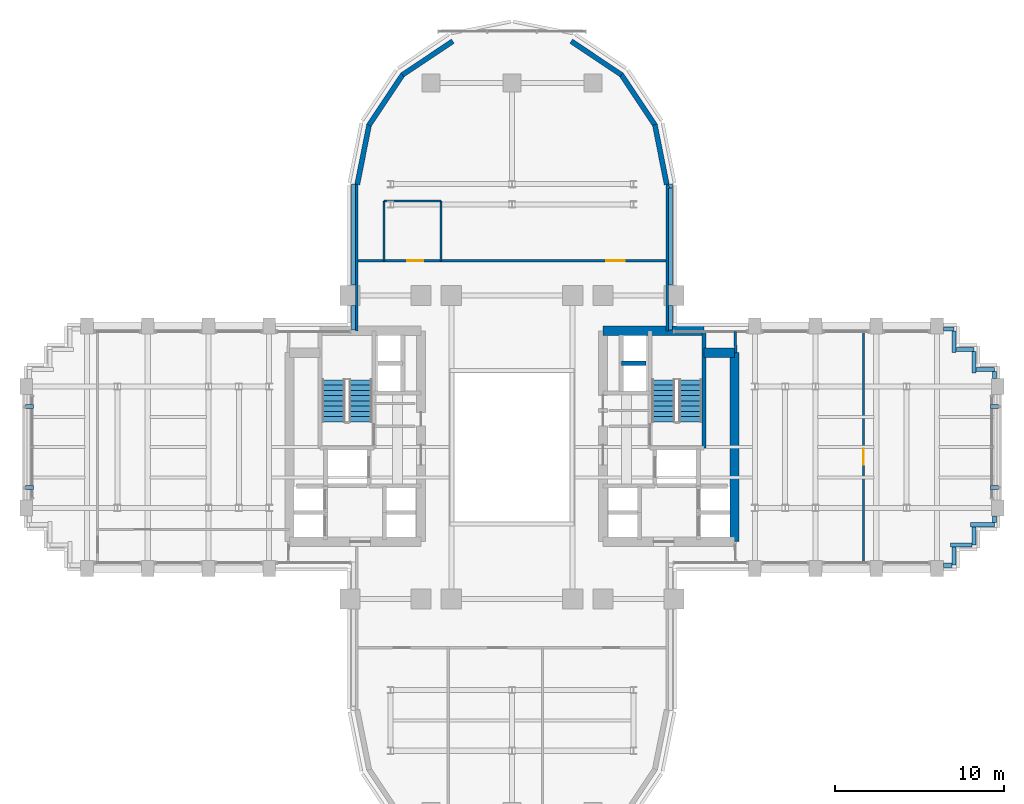
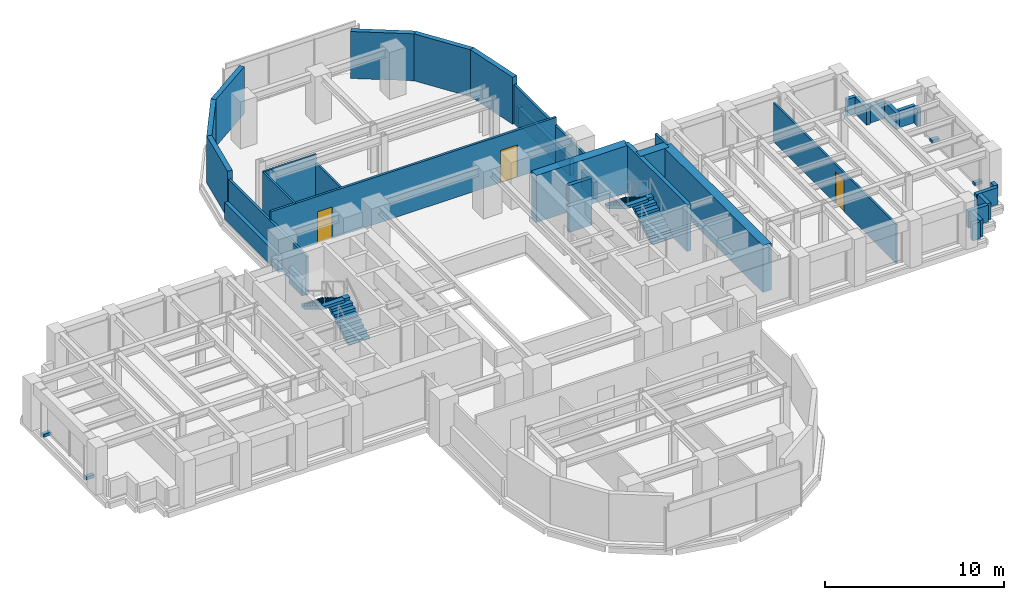
# One storey, part 12 of 16: 36 walls, 4 discrete accessories, 4 stair flights, 3 doors, 3 openings, 2 elements without a shape of their own.
"""IFC4 building model written with IfcOpenShell, lengths in metres."""

import ifcopenshell
import ifcopenshell.guid

model = None  # the IFC model being written
_history = None  # IfcOwnerHistory: only IFC2X3 demands one
_inside = {}  # id of a spatial element -> (the spatial element, [elements in it])
_under = {}  # id of a project, library or spatial element -> (it, [spatial elements below it])
_declared = {}  # id of a project -> (the project, [libraries it declares])
_typed = {}  # id of a type object -> (the type object, [elements of that type])
_made_of = {}  # id of a material, layer set ... -> (it, [elements and type objects made of it])


def new_model(schema):
    """Start an empty IFC model of exactly this schema.

    Asked for "IFC4X3", IfcOpenShell would pick the latest addendum, in which some entities
    have other attributes; the version numbers below select the first issue.
    IFC2X3 requires an IfcOwnerHistory on every rooted entity: one is made here for all.
    """
    global model, _history
    if schema == "IFC4X3":
        model = ifcopenshell.file(schema_version=(4, 3, 0, 0))
    else:
        model = ifcopenshell.file(schema=schema)
    _inside.clear()
    _under.clear()
    _declared.clear()
    _typed.clear()
    _made_of.clear()
    _history = None
    if model.schema == "IFC2X3":
        org = make("IfcOrganization", Name="unknown")
        user = make(
            "IfcPersonAndOrganization",
            ThePerson=make("IfcPerson", FamilyName="unknown"),
            TheOrganization=org,
        )
        app = make(
            "IfcApplication",
            ApplicationDeveloper=org,
            Version="unknown",
            ApplicationFullName="unknown",
            ApplicationIdentifier="unknown",
        )
        _history = make(
            "IfcOwnerHistory",
            OwningUser=user,
            OwningApplication=app,
            ChangeAction="ADDED",
            CreationDate=0,
        )
    return model


def make(cls, **values):
    """One entity of the class cls with the attributes given. An attribute that is None is left unset."""
    return model.create_entity(
        cls, **{name: value for name, value in values.items() if value is not None}
    )


def rooted(cls, **values):
    """An entity with a GlobalId (a new one), such as an element, a storey or a relation."""
    return make(cls, GlobalId=ifcopenshell.guid.new(), OwnerHistory=_history, **values)


def si_unit(unit_type, name, prefix=None):
    """IfcSIUnit, for example si_unit("LENGTHUNIT", "METRE", prefix="MILLI")."""
    return make("IfcSIUnit", UnitType=unit_type, Prefix=prefix, Name=name)


def assignment(units):
    """IfcUnitAssignment: the units of a project."""
    return None if units is None else make("IfcUnitAssignment", Units=units)


def point(xyz):
    """IfcCartesianPoint."""
    return None if xyz is None else make("IfcCartesianPoint", Coordinates=xyz)


def direction(xyz):
    """IfcDirection."""
    return None if xyz is None else make("IfcDirection", DirectionRatios=xyz)


def frame(location, z_axis=None, x_axis=None):
    """IfcAxis2Placement3D, a coordinate frame: its origin and axes. An axis left out is left unset."""
    return make(
        "IfcAxis2Placement3D",
        Location=point(location),
        Axis=direction(z_axis),
        RefDirection=direction(x_axis),
    )


def frame_2d(location, x_axis=None):
    """IfcAxis2Placement2D, a coordinate frame in the plane: its origin and x axis."""
    return make(
        "IfcAxis2Placement2D", Location=point(location), RefDirection=direction(x_axis)
    )


def origin():
    """The frame at (0, 0, 0) with its axes left unset."""
    return frame((0.0, 0.0, 0.0))


def origin_2d():
    """The frame at (0, 0) in the plane with its x axis left unset."""
    return frame_2d((0.0, 0.0))


def place(relative_to, where):
    """IfcLocalPlacement: puts the frame where relative to a parent placement (None: the world)."""
    return make(
        "IfcLocalPlacement", PlacementRelTo=relative_to, RelativePlacement=where
    )


def context(
    kind, dimensions, precision=None, world=None, true_north=None, identifier=None
):
    """IfcGeometricRepresentationContext, for example the 3D "Model" context."""
    return make(
        "IfcGeometricRepresentationContext",
        ContextIdentifier=identifier,
        ContextType=kind,
        CoordinateSpaceDimension=dimensions,
        Precision=precision,
        WorldCoordinateSystem=world,
        TrueNorth=true_north,
    )


def subcontext(parent, identifier, kind, view, scale=None):
    """IfcGeometricRepresentationSubContext, for example "Body" below "Model"."""
    return make(
        "IfcGeometricRepresentationSubContext",
        ContextIdentifier=identifier,
        ContextType=kind,
        ParentContext=parent,
        TargetScale=scale,
        TargetView=view,
    )


def project(units=None, contexts=None):
    """IfcProject with its units and contexts."""
    return rooted(
        "IfcProject",
        Name="project",
        RepresentationContexts=contexts,
        UnitsInContext=assignment(units),
    )


def spatial(cls, under=None, at=None, **own):
    """A site, building, storey or space (cls), placed at a placement, below another one or the project."""
    s = rooted(cls, ObjectPlacement=at, **own)
    if under is not None:
        _under.setdefault(under.id(), (under, []))[1].append(s)
    return s


def polyline(points):
    """IfcPolyline through the points."""
    return make("IfcPolyline", Points=[point(p) for p in points])


def profile(cls, at=None, kind="AREA", **sizes):
    """A parametric profile (cls). Its sizes go by their IFC names, for example OverallWidth=200.0."""
    return make(cls, ProfileType=kind, Position=at, **sizes)


def rectangle(**sizes):
    """IfcRectangleProfileDef."""
    return profile("IfcRectangleProfileDef", **sizes)


def outline(outer, holes=None, kind="AREA"):
    """IfcArbitraryClosedProfileDef: a profile drawn as a closed curve; with holes, ...WithVoids."""
    if holes is None:
        return make("IfcArbitraryClosedProfileDef", ProfileType=kind, OuterCurve=outer)
    return make(
        "IfcArbitraryProfileDefWithVoids",
        ProfileType=kind,
        OuterCurve=outer,
        InnerCurves=holes,
    )


def extrude(swept, where, along, depth):
    """IfcExtrudedAreaSolid: the profile swept, set in the frame where, extruded along a direction by depth."""
    return make(
        "IfcExtrudedAreaSolid",
        SweptArea=swept,
        Position=where,
        ExtrudedDirection=direction(along),
        Depth=depth,
    )


def shape(context_of_items, identifier, shape_type, items):
    """IfcShapeRepresentation: the items that make up one representation, for example the "Body"."""
    return make(
        "IfcShapeRepresentation",
        ContextOfItems=context_of_items,
        RepresentationIdentifier=identifier,
        RepresentationType=shape_type,
        Items=items,
    )


def source(mapping_origin, context_of_items, identifier, shape_type, items):
    """IfcRepresentationMap: a shape defined once, which mapped items show again and again."""
    return make(
        "IfcRepresentationMap",
        MappingOrigin=mapping_origin,
        MappedRepresentation=shape(context_of_items, identifier, shape_type, items),
    )


def transform(
    local_origin,
    x_axis=None,
    y_axis=None,
    z_axis=None,
    scale=None,
    scale2=None,
    scale3=None,
    uniform=True,
):
    """IfcCartesianTransformationOperator3D, or its non-uniform kind. x_axis, y_axis, z_axis: its Axis1, 2, 3."""
    if uniform:
        return make(
            "IfcCartesianTransformationOperator3D",
            Axis1=direction(x_axis),
            Axis2=direction(y_axis),
            LocalOrigin=point(local_origin),
            Scale=scale,
            Axis3=direction(z_axis),
        )
    return make(
        "IfcCartesianTransformationOperator3DnonUniform",
        Axis1=direction(x_axis),
        Axis2=direction(y_axis),
        LocalOrigin=point(local_origin),
        Scale=scale,
        Axis3=direction(z_axis),
        Scale2=scale2,
        Scale3=scale3,
    )


def mapped(mapping_source, mapping_target):
    """IfcMappedItem: shows the shape of a source again, moved by a transform."""
    return make(
        "IfcMappedItem", MappingSource=mapping_source, MappingTarget=mapping_target
    )


def material(Name=None, Category=None):
    """IfcMaterial."""
    return make("IfcMaterial", Name=Name, Category=Category)


def layer(
    of_material, thickness, ventilated=None, Name=None, Category=None, Priority=None
):
    """IfcMaterialLayer: one layer of a wall or slab, of a material (None: an air gap)."""
    return make(
        "IfcMaterialLayer",
        Material=of_material,
        LayerThickness=thickness,
        IsVentilated=ventilated,
        Name=Name,
        Category=Category,
        Priority=Priority,
    )


def layer_set(layers, Name=None):
    """IfcMaterialLayerSet."""
    return make("IfcMaterialLayerSet", MaterialLayers=layers, LayerSetName=Name)


def made_of(thing, what):
    """Note that an element or type object is made of a material, layer set ...; save() writes the relation."""
    if what is not None:
        _made_of.setdefault(what.id(), (what, []))[1].append(thing)
    return thing


def type_object(cls, material=None, **own):
    """A type object (cls), such as IfcWallType, which elements share."""
    return made_of(rooted(cls, **own), material)


def element(
    cls,
    number,
    at=None,
    inside=None,
    cuts=None,
    type_object=None,
    material=None,
    context=None,
    identifier="Body",
    shape_type=None,
    held_by="IfcProductDefinitionShape",
    body=None,
    shapes=None,
    **own,
):
    """One element of the class cls, such as IfcWall. Its Tag is "e" and its number.

    at: its placement. inside: the storey or other place that contains it. cuts: it is an
    opening in that element (IfcRelVoidsElement). A single representation is given by context,
    identifier, shape_type and body (its items); several are given by shapes. held_by: the class
    of the entity that holds the representations. save() writes the other relations.
    """
    e = rooted(cls, Tag="e%d" % number, ObjectPlacement=at, **own)
    if body is not None:
        shapes = [shape(context, identifier, shape_type, body)]
    if shapes is not None:
        e.Representation = make(held_by, Representations=shapes)
    if inside is not None:
        _inside.setdefault(inside.id(), (inside, []))[1].append(e)
    if cuts is not None:
        rooted(
            "IfcRelVoidsElement", RelatingBuildingElement=cuts, RelatedOpeningElement=e
        )
    if type_object is not None:
        _typed.setdefault(type_object.id(), (type_object, []))[1].append(e)
    return made_of(e, material)


def fill(opening, filler):
    """IfcRelFillsElement: the door or window that sits in an opening."""
    return rooted(
        "IfcRelFillsElement",
        RelatingOpeningElement=opening,
        RelatedBuildingElement=filler,
    )


def aggregate(whole, parts):
    """IfcRelAggregates: a whole, such as a stair, and the parts it consists of."""
    return rooted("IfcRelAggregates", RelatingObject=whole, RelatedObjects=parts)


def save(model, path):
    """Write the relations noted so far, then the file.

    IfcRelAggregates (storeys below a building ...), IfcRelContainedInSpatialStructure (elements
    in a storey), IfcRelDefinesByType, IfcRelAssociatesMaterial and IfcRelDeclares: one each for
    every whole, place, type object, material and project.
    """
    for whole, parts in _under.values():
        aggregate(whole, parts)
    for where, things in _inside.values():
        rooted(
            "IfcRelContainedInSpatialStructure",
            RelatedElements=things,
            RelatingStructure=where,
        )
    for kind, things in _typed.values():
        rooted("IfcRelDefinesByType", RelatedObjects=things, RelatingType=kind)
    for what, things in _made_of.values():
        rooted("IfcRelAssociatesMaterial", RelatedObjects=things, RelatingMaterial=what)
    for by, libraries in _declared.values():
        rooted("IfcRelDeclares", RelatingContext=by, RelatedDefinitions=libraries)
    model.write(path)


model = new_model("IFC4")

# Units and contexts
model_context = context("Model", 3, precision=1e-05, world=origin(), true_north=direction((0.0, 1.0)))
body_context = subcontext(model_context, "Body", "Model", "MODEL_VIEW")
ifc_project = project(units=[si_unit("LENGTHUNIT", "METRE"), si_unit("AREAUNIT", "SQUARE_METRE"), si_unit("VOLUMEUNIT", "CUBIC_METRE"), si_unit("PLANEANGLEUNIT", "RADIAN"), si_unit("MASSUNIT", "GRAM", prefix="KILO")], contexts=[model_context])

# Site, building, storey
site_placement = place(None, origin())
site = spatial("IfcSite", under=ifc_project, at=site_placement, CompositionType="ELEMENT")
building_placement = place(site_placement, origin())
building = spatial("IfcBuilding", under=site, at=building_placement, Name="Keilestroom Media Tower", CompositionType="ELEMENT")
storey_placement = place(building_placement, frame((0.0, 0.0, 57.800048828125)))
storey = spatial("IfcBuildingStorey", under=building, at=storey_placement, Name="L14", CompositionType="ELEMENT", Elevation=57.800048828125)

# Walls
ifc_material_1 = material(Name="Precast concrete C40/50", Category="concrete")
ifc_layer_1 = layer(ifc_material_1, 0.300048828125)
ifc_layer_set_1 = layer_set([ifc_layer_1], Name="Precast concrete C40/50")
wall_type_1 = type_object("IfcWallType", Name="Exterior-Masonry-Spandrel-Wall-300", PredefinedType="SOLIDWALL", material=ifc_layer_set_1)
for number, where, z_axis, x_axis, name in (
    (1, (9.1748046875, 15.585205078125, 0.0), (0.0, 0.0, 1.0), (-0.195114232679, 0.980780523974, 0.0), "L14 Lobe Facet Precast Frame Wall 01"),
    (2, (8.48193359375, 19.097412109375, 0.0), (0.0, 0.0, 1.0), (-0.555574187116, 0.831466970246, 0.0), "L14 Lobe Facet Precast Frame Wall 02"),
):
    element("IfcWall", number, at=place(storey_placement, frame(where, z_axis=z_axis, x_axis=x_axis)), inside=storey, type_object=wall_type_1, Name=name, PredefinedType="SOLIDWALL", context=body_context, shape_type="SweptSolid", body=[
        extrude(rectangle(XDim=3.608642578125, YDim=0.300048828125, at=frame_2d((1.80419921875, 0.0))), origin(), (0.0, 0.0, 1.0), 3.199951171875),
    ])
for number, where, z_axis, x_axis, name in (
    (3, (6.497802734375, 22.0771484375, 0.0), (0.0, 0.0, 1.0), (-0.8314749531, 0.555562239868, 0.0), "L14 Lobe Facet Precast Frame Wall 03"),
    (4, (-3.510009765625, 24.073486328125, 0.0), (0.0, 0.0, 1.0), (-0.8314749531, -0.555562239868, 0.0), "L14 Lobe Facet Precast Frame Wall 04"),
):
    element("IfcWall", number, at=place(storey_placement, frame(where, z_axis=z_axis, x_axis=x_axis)), inside=storey, type_object=wall_type_1, Name=name, PredefinedType="SOLIDWALL", context=body_context, shape_type="SweptSolid", body=[
        extrude(rectangle(XDim=3.59326171875, YDim=0.300048828125, at=frame_2d((1.796630859375, 0.0))), origin(), (0.0, 0.0, 1.0), 3.199951171875),
    ])
for number, where, z_axis, x_axis, name in (
    (5, (-6.47705078125, 22.097900390625, 0.0), (0.0, 0.0, 1.0), (-0.555574187116, -0.831466970246, 0.0), "L14 Lobe Facet Precast Frame Wall 05"),
    (6, (-8.470703125, 19.12451171875, 0.0), (0.0, 0.0, 1.0), (-0.195114232679, -0.980780523974, 0.0), "L14 Lobe Facet Precast Frame Wall 06"),
):
    element("IfcWall", number, at=place(storey_placement, frame(where, z_axis=z_axis, x_axis=x_axis)), inside=storey, type_object=wall_type_1, Name=name, PredefinedType="SOLIDWALL", context=body_context, shape_type="SweptSolid", body=[
        extrude(rectangle(XDim=3.608642578125, YDim=0.300048828125, at=frame_2d((1.80419921875, 0.0))), origin(), (0.0, 0.0, 1.0), 3.199951171875),
    ])
ifc_material_2 = material(Name="Gypsum Plasterboard & Steel Stud", Category="steel")
ifc_layer_2 = layer(ifc_material_2, 0.1201171875)
ifc_layer_set_2 = layer_set([ifc_layer_2], Name="Gypsum Plasterboard & Steel Stud")
wall_type_2 = type_object("IfcWallType", Name="Interior-Partition-Wall-120", PredefinedType="PARTITIONING", material=ifc_layer_set_2)
wall_1_placement = place(storey_placement, frame((-7.60009765625, 14.60009765625, 0.0), z_axis=(0.0, 0.0, 1.0), x_axis=(1.0, 0.0, 0.0)))
element("IfcWall", 7, at=wall_1_placement, inside=storey, type_object=wall_type_2, Name="L14 Interior Wall WP-L14-NL-WC-N", PredefinedType="PARTITIONING", context=body_context, shape_type="SweptSolid", body=[
    extrude(rectangle(XDim=3.400146484375, YDim=0.1201171875, at=frame_2d((1.7001953125, 0.0))), origin(), (0.0, 0.0, 1.0), 3.199951171875),
])
wall_2_placement = place(storey_placement, frame((-7.60009765625, 11.050048828125, 0.0), z_axis=(0.0, 0.0, 1.0), x_axis=(0.0, 1.0, 0.0)))
element("IfcWall", 8, at=wall_2_placement, inside=storey, type_object=wall_type_2, Name="L14 Interior Wall WP-L14-NL-WC-W", PredefinedType="PARTITIONING", context=body_context, shape_type="SweptSolid", body=[
    extrude(rectangle(XDim=3.550048828125, YDim=0.1201171875, at=frame_2d((1.77490234375, 0.0))), origin(), (0.0, 0.0, 1.0), 3.199951171875),
])
wall_3_placement = place(storey_placement, frame((-4.199951171875, 11.050048828125, 0.0), z_axis=(0.0, 0.0, 1.0), x_axis=(0.0, 1.0, 0.0)))
element("IfcWall", 9, at=wall_3_placement, inside=storey, type_object=wall_type_2, Name="L14 Interior Wall WP-L14-NL-WC-E", PredefinedType="PARTITIONING", context=body_context, shape_type="SweptSolid", body=[
    extrude(rectangle(XDim=3.550048828125, YDim=0.1201171875, at=frame_2d((1.77490234375, 0.0))), origin(), (0.0, 0.0, 1.0), 2.64990234375),
])

# Wall, opening, door
wall_4_placement = place(storey_placement, frame((20.840087890625, -6.85009765625, 0.0), z_axis=(0.0, 0.0, 1.0), x_axis=(0.0, 1.0, 0.0)))
wall_4 = element("IfcWall", 10, at=wall_4_placement, inside=storey, type_object=wall_type_2, Name="L14 Interior Wall WP-L14-EA-V", PredefinedType="PARTITIONING", context=body_context, shape_type="SweptSolid", body=[
    extrude(rectangle(XDim=13.7001953125, YDim=0.1201171875, at=frame_2d((6.85009765625, 0.0))), origin(), (0.0, 0.0, 1.0), 2.64990234375),
])
opening_1_placement = place(wall_4_placement, frame((5.800048828125, 0.0, 0.0)))
opening_1 = element("IfcOpeningElement", 11, at=opening_1_placement, cuts=wall_4, Name="Opening DI-03", PredefinedType="OPENING", context=body_context, shape_type="SweptSolid", body=[
    extrude(rectangle(XDim=0.949951171875, YDim=2.14990234375, at=frame_2d((0.47509765625, 1.074951171875))), frame((0.0, 0.070068359375, 0.0), z_axis=(0.0, -1.0, 0.0), x_axis=(1.0, 0.0, 0.0)), (0.0, 0.0, 1.0), 0.14013671875),
])
ifc_material_3 = material(Name="Lacquered European Oak Leaf", Category="wood")
door_type_1 = type_object("IfcDoorType", Name="Interior-Room-And-Suite-Door-DI-03", OperationType="NOTDEFINED", PredefinedType="DOOR", material=ifc_material_3)
shared_shape_1 = source(origin(), body_context, "Body", "SweptSolid", [
    extrude(rectangle(XDim=0.949951171875, YDim=2.14990234375, at=frame_2d((0.47509765625, 1.074951171875))), frame((0.0, 0.02490234375, 0.0), z_axis=(0.0, -1.0, 0.0), x_axis=(1.0, 0.0, 0.0)), (0.0, 0.0, 1.0), 0.050048828125),
])
door_1_placement = place(opening_1_placement, origin())
door_1 = element("IfcDoor", 12, at=door_1_placement, inside=storey, type_object=door_type_1, Name="L14 Interior Door DI-L14-DEA-E", OperationType="SINGLE_SWING_RIGHT", OverallHeight=2.14990234375, OverallWidth=0.949951171875, PredefinedType="DOOR", context=body_context, shape_type="MappedRepresentation", body=[
    mapped(shared_shape_1, transform((0.0, 0.0, 0.0), x_axis=(1.0, 0.0, 0.0), y_axis=(0.0, 1.0, 0.0), z_axis=(0.0, 0.0, 1.0), scale=1.0)),
])
fill(opening_1, door_1)

# Wall, openings, doors
ifc_layer_3 = layer(ifc_material_2, 0.14990234375)
ifc_layer_set_3 = layer_set([ifc_layer_3], Name="Gypsum Plasterboard & Steel Stud")
wall_type_3 = type_object("IfcWallType", Name="Interior-Partition-Wall-150", PredefinedType="PARTITIONING", material=ifc_layer_set_3)
wall_5_placement = place(storey_placement, frame((-9.199951171875, 11.050048828125, 0.0), z_axis=(0.0, 0.0, 1.0), x_axis=(1.0, 0.0, 0.0)))
wall_5 = element("IfcWall", 13, at=wall_5_placement, inside=storey, type_object=wall_type_3, Name="L14 Interior Wall WP-L14-NL-BASE", PredefinedType="PARTITIONING", context=body_context, shape_type="SweptSolid", body=[
    extrude(rectangle(XDim=18.39990234375, YDim=0.14990234375, at=frame_2d((9.199951171875, 0.0))), origin(), (0.0, 0.0, 1.0), 3.199951171875),
])
opening_2_placement = place(wall_5_placement, frame((3.0, 0.0, 0.0)))
opening_2 = element("IfcOpeningElement", 14, at=opening_2_placement, cuts=wall_5, Name="Opening DI-03", PredefinedType="OPENING", context=body_context, shape_type="SweptSolid", body=[
    extrude(rectangle(XDim=0.949951171875, YDim=2.14990234375, at=frame_2d((0.47509765625, 1.074951171875))), frame((0.0, 0.0849609375, 0.0), z_axis=(0.0, -1.0, 0.0), x_axis=(1.0, 0.0, 0.0)), (0.0, 0.0, 1.0), 0.169921875),
])
opening_3_placement = place(wall_5_placement, frame((14.800048828125, 0.0, 0.0)))
opening_3 = element("IfcOpeningElement", 15, at=opening_3_placement, cuts=wall_5, Name="Opening DI-04", PredefinedType="OPENING", context=body_context, shape_type="SweptSolid", body=[
    extrude(rectangle(XDim=1.10009765625, YDim=2.199951171875, at=frame_2d((0.550048828125, 1.10009765625))), frame((0.0, 0.0849609375, 0.0), z_axis=(0.0, -1.0, 0.0), x_axis=(1.0, 0.0, 0.0)), (0.0, 0.0, 1.0), 0.169921875),
])
door_2_placement = place(opening_2_placement, origin())
door_2 = element("IfcDoor", 16, at=door_2_placement, inside=storey, type_object=door_type_1, Name="L14 Interior Door DI-L14-DNL-WC", OperationType="SINGLE_SWING_LEFT", OverallHeight=2.14990234375, OverallWidth=0.949951171875, PredefinedType="DOOR", context=body_context, shape_type="MappedRepresentation", body=[
    mapped(shared_shape_1, transform((0.0, 0.0, 0.0), x_axis=(1.0, 0.0, 0.0), y_axis=(0.0, 1.0, 0.0), z_axis=(0.0, 0.0, 1.0), scale=1.0)),
])
fill(opening_2, door_2)
ifc_material_4 = material(Name="Acoustic Glazed Aluminium Leaf", Category="aluminium")
door_type_2 = type_object("IfcDoorType", Name="Interior-Room-And-Suite-Door-DI-04", OperationType="NOTDEFINED", PredefinedType="DOOR", material=ifc_material_4)
shared_shape_2 = source(origin(), body_context, "Body", "SweptSolid", [
    extrude(rectangle(XDim=1.10009765625, YDim=2.199951171875, at=frame_2d((0.550048828125, 1.10009765625))), frame((0.0, 0.02490234375, 0.0), z_axis=(0.0, -1.0, 0.0), x_axis=(1.0, 0.0, 0.0)), (0.0, 0.0, 1.0), 0.050048828125),
])
door_3_placement = place(opening_3_placement, origin())
door_3 = element("IfcDoor", 17, at=door_3_placement, inside=storey, type_object=door_type_2, Name="L14 Interior Door DI-L14-DNL-HALL", OperationType="SINGLE_SWING_RIGHT", OverallHeight=2.199951171875, OverallWidth=1.10009765625, PredefinedType="DOOR", context=body_context, shape_type="MappedRepresentation", body=[
    mapped(shared_shape_2, transform((0.0, 0.0, 0.0), x_axis=(1.0, 0.0, 0.0), y_axis=(0.0, 1.0, 0.0), z_axis=(0.0, 0.0, 1.0), scale=1.0)),
])
fill(opening_3, door_3)

# Walls
for number, where, z_axis, x_axis, name in (
    (18, (-9.199951171875, 6.89990234375, 0.0), (0.0, 0.0, 1.0), (0.0, 1.0, 0.0), "L14 Interior Wall WP-L14-NL-CHKW"),
    (19, (9.199951171875, 6.89990234375, 0.0), (0.0, 0.0, 1.0), (0.0, 1.0, 0.0), "L14 Interior Wall WP-L14-NL-CHKE"),
):
    element("IfcWall", number, at=place(storey_placement, frame(where, z_axis=z_axis, x_axis=x_axis)), inside=storey, type_object=wall_type_3, Name=name, PredefinedType="PARTITIONING", context=body_context, shape_type="SweptSolid", body=[
        extrude(rectangle(XDim=8.780029296875, YDim=0.14990234375, at=frame_2d((4.39013671875, 0.0))), origin(), (0.0, 0.0, 1.0), 2.64990234375),
    ])
wall_6_placement = place(storey_placement, frame((13.260009765625, 5.60009765625, 0.0), z_axis=(0.0, 0.0, 1.0), x_axis=(-0.016013571389, 0.999871774545, 0.0)))
element("IfcWall", 20, at=wall_6_placement, inside=storey, type_object=wall_type_3, Name="L14 Interior Wall WP-L14-EA-ENTN", PredefinedType="PARTITIONING", context=body_context, shape_type="SweptSolid", body=[
    extrude(rectangle(XDim=1.250244140625, YDim=0.14990234375, at=frame_2d((0.625, 0.0))), origin(), (0.0, 0.0, 1.0), 3.199951171875),
])
ifc_material_5 = material(Name="Concrete C70/85", Category="concrete")
ifc_layer_4 = layer(ifc_material_5, 0.550048828125)
ifc_layer_set_4 = layer_set([ifc_layer_4], Name="Concrete C70/85")
wall_type_4 = type_object("IfcWallType", Name="Reinforced-Concrete-Core-Shear-Wall-550", PredefinedType="SHEAR", material=ifc_layer_set_4)
wall_7_placement = place(storey_placement, frame((13.199951171875, -5.60009765625, 0.0), z_axis=(0.0, 0.0, 1.0), x_axis=(0.0, 1.0, 0.0)))
element("IfcWall", 21, at=wall_7_placement, inside=storey, type_object=wall_type_4, Name="L14 Core Shear Wall WL-L14-CORE-E-OUT", PredefinedType="SHEAR", context=body_context, shape_type="SweptSolid", body=[
    extrude(rectangle(XDim=11.2001953125, YDim=0.550048828125, at=frame_2d((5.60009765625, 0.0))), origin(), (0.0, 0.0, 1.0), 3.199951171875),
])
wall_8_placement = place(storey_placement, frame((5.39990234375, 6.89990234375, 0.0), z_axis=(0.0, 0.0, 1.0), x_axis=(1.0, 0.0, 0.0)))
element("IfcWall", 22, at=wall_8_placement, inside=storey, type_object=wall_type_4, Name="L14 Core Shear Wall WL-L14-CORE-E-N", PredefinedType="SHEAR", context=body_context, shape_type="SweptSolid", body=[
    extrude(rectangle(XDim=5.981201171875, YDim=0.550048828125, at=frame_2d((2.99072265625, 0.0))), origin(), (0.0, 0.0, 1.0), 3.199951171875),
])
wall_9_placement = place(storey_placement, frame((11.381103515625, 5.60009765625, 0.0), z_axis=(0.0, 0.0, 1.0), x_axis=(1.0, 0.0, 0.0)))
element("IfcWall", 23, at=wall_9_placement, inside=storey, type_object=wall_type_4, Name="L14 Core Shear Wall WL-L14-CNE-N", PredefinedType="SHEAR", context=body_context, shape_type="SweptSolid", body=[
    extrude(rectangle(XDim=1.81884765625, YDim=0.550048828125, at=frame_2d((0.909423828125, 0.0))), origin(), (0.0, 0.0, 1.0), 3.199951171875),
])
ifc_material_6 = material(Name="Concrete C50/60", Category="concrete")
ifc_layer_5 = layer(ifc_material_6, 0.25)
ifc_layer_set_5 = layer_set([ifc_layer_5], Name="Concrete C50/60")
wall_type_5 = type_object("IfcWallType", Name="Reinforced-Concrete-Shaft-Wall-250", PredefinedType="SOLIDWALL", material=ifc_layer_set_5)
wall_10_placement = place(storey_placement, frame((11.381103515625, -0.041015625, 0.0), z_axis=(0.0, 0.0, 1.0), x_axis=(0.0, 1.0, 0.0)))
element("IfcWall", 24, at=wall_10_placement, inside=storey, type_object=wall_type_5, Name="L14 Core Shear Wall WL-L14-STW-E-FAR", PredefinedType="SOLIDWALL", context=body_context, shape_type="SweptSolid", body=[
    extrude(rectangle(XDim=6.94091796875, YDim=0.25, at=frame_2d((3.470458984375, 0.0))), origin(), (0.0, 0.0, 1.0), 3.199951171875),
])
wall_11_placement = place(storey_placement, frame((6.47998046875, 4.97998046875, 0.0), z_axis=(0.0, 0.0, 1.0), x_axis=(1.0, 0.0, 0.0)))
element("IfcWall", 25, at=wall_11_placement, inside=storey, type_object=wall_type_5, Name="L14 Core Shear Wall WL-L14-LSH-PL-H3-N", PredefinedType="SOLIDWALL", context=body_context, shape_type="SweptSolid", body=[
    extrude(rectangle(XDim=1.469970703125, YDim=0.25, at=frame_2d((0.73486328125, 0.0))), origin(), (0.0, 0.0, 1.0), 3.199951171875),
])
ifc_layer_6 = layer(ifc_material_1, 0.239990234375)
ifc_layer_set_6 = layer_set([ifc_layer_6], Name="Precast concrete C40/50")
wall_type_6 = type_object("IfcWallType", Name="Roof-And-Terrace-Parapet-Wall-240", PredefinedType="PARAPET", material=ifc_layer_set_6)
wall_12_placement = place(storey_placement, frame((28.60009765625, -4.60009765625, 0.0), z_axis=(0.0, 0.0, 1.0), x_axis=(-1.0, 0.0, 0.0)))
element("IfcWall", 26, at=wall_12_placement, inside=storey, type_object=wall_type_6, Name="L14 Perimeter Edge Parapet Wall 01", PredefinedType="PARAPET", context=body_context, shape_type="SweptSolid", body=[
    extrude(rectangle(XDim=1.400146484375, YDim=0.239990234375, at=frame_2d((0.7001953125, 0.0))), origin(), (0.0, 0.0, 1.0), 1.14990234375),
])
wall_13_placement = place(storey_placement, frame((27.39990234375, -4.722900390625, 0.0), z_axis=(0.0, 0.0, 1.0), x_axis=(0.0, -1.0, 0.0)))
element("IfcWall", 27, at=wall_13_placement, inside=storey, type_object=wall_type_6, Name="L14 Perimeter Edge Parapet Wall 02", PredefinedType="PARAPET", context=body_context, shape_type="SweptSolid", body=[
    extrude(rectangle(XDim=1.0771484375, YDim=0.239990234375, at=frame_2d((0.53857421875, 0.0))), origin(), (0.0, 0.0, 1.0), 1.14990234375),
])
wall_14_placement = place(storey_placement, frame((27.277099609375, -5.800048828125, 0.0), z_axis=(0.0, 0.0, 1.0), x_axis=(-1.0, 0.0, 0.0)))
element("IfcWall", 28, at=wall_14_placement, inside=storey, type_object=wall_type_6, Name="L14 Perimeter Edge Parapet Wall 03", PredefinedType="PARAPET", context=body_context, shape_type="SweptSolid", body=[
    extrude(rectangle(XDim=1.277099609375, YDim=0.239990234375, at=frame_2d((0.638671875, 0.0))), origin(), (0.0, 0.0, 1.0), 1.14990234375),
])
wall_15_placement = place(storey_placement, frame((26.199951171875, -5.923095703125, 0.0), z_axis=(0.0, 0.0, 1.0), x_axis=(0.0, -1.0, 0.0)))
element("IfcWall", 29, at=wall_15_placement, inside=storey, type_object=wall_type_6, Name="L14 Perimeter Edge Parapet Wall 04", PredefinedType="PARAPET", context=body_context, shape_type="SweptSolid", body=[
    extrude(rectangle(XDim=1.076904296875, YDim=0.239990234375, at=frame_2d((0.53857421875, 0.0))), origin(), (0.0, 0.0, 1.0), 1.14990234375),
])
wall_16_placement = place(storey_placement, frame((26.076904296875, -7.0, 0.0), z_axis=(0.0, 0.0, 1.0), x_axis=(-1.0, 0.0, 0.0)))
element("IfcWall", 30, at=wall_16_placement, inside=storey, type_object=wall_type_6, Name="L14 Perimeter Edge Parapet Wall 05", PredefinedType="PARAPET", context=body_context, shape_type="SweptSolid", body=[
    extrude(rectangle(XDim=0.4990234375, YDim=0.239990234375, at=frame_2d((0.24951171875, 0.0))), origin(), (0.0, 0.0, 1.0), 1.14990234375),
])
wall_17_placement = place(storey_placement, frame((-9.39990234375, 6.952880859375, 0.0), z_axis=(0.0, 0.0, 1.0), x_axis=(0.0, 1.0, 0.0)))
element("IfcWall", 31, at=wall_17_placement, inside=storey, type_object=wall_type_6, Name="L14 Perimeter Edge Parapet Wall 24", PredefinedType="PARAPET", context=body_context, shape_type="SweptSolid", body=[
    extrude(rectangle(XDim=1.444091796875, YDim=0.239990234375, at=frame_2d((0.72216796875, 0.0))), origin(), (0.0, 0.0, 1.0), 1.14990234375),
])
wall_18_placement = place(storey_placement, frame((-9.39990234375, 9.60302734375, 0.0), z_axis=(0.0, 0.0, 1.0), x_axis=(0.0, 1.0, 0.0)))
element("IfcWall", 32, at=wall_18_placement, inside=storey, type_object=wall_type_6, Name="L14 Perimeter Edge Parapet Wall 25", PredefinedType="PARAPET", context=body_context, shape_type="SweptSolid", body=[
    extrude(rectangle(XDim=5.999755859375, YDim=0.239990234375, at=frame_2d((3.0, 0.0))), origin(), (0.0, 0.0, 1.0), 1.14990234375),
])
wall_19_placement = place(storey_placement, frame((9.395263671875, 15.604248046875, 0.0), z_axis=(0.0, 0.0, 1.0), x_axis=(0.194652052864, -0.980872355771, 0.0)))
element("IfcWall", 33, at=wall_19_placement, inside=storey, type_object=wall_type_6, Name="L14 Perimeter Edge Parapet Wall 26", PredefinedType="PARAPET", context=body_context, shape_type="SweptSolid", body=[
    extrude(rectangle(XDim=0.224609375, YDim=0.239990234375, at=frame_2d((0.1123046875, 0.0))), origin(), (0.0, 0.0, 1.0), 1.14990234375),
])
wall_20_placement = place(storey_placement, frame((9.39990234375, 15.357666015625, 0.0), z_axis=(0.0, 0.0, 1.0), x_axis=(0.0, -1.0, 0.0)))
element("IfcWall", 34, at=wall_20_placement, inside=storey, type_object=wall_type_6, Name="L14 Perimeter Edge Parapet Wall 27", PredefinedType="PARAPET", context=body_context, shape_type="SweptSolid", body=[
    extrude(rectangle(XDim=5.754638671875, YDim=0.239990234375, at=frame_2d((2.87744140625, 0.0))), origin(), (0.0, 0.0, 1.0), 1.14990234375),
])
wall_21_placement = place(storey_placement, frame((9.39990234375, 8.39697265625, 0.0), z_axis=(0.0, 0.0, 1.0), x_axis=(0.0, -1.0, 0.0)))
element("IfcWall", 35, at=wall_21_placement, inside=storey, type_object=wall_type_6, Name="L14 Perimeter Edge Parapet Wall 28", PredefinedType="PARAPET", context=body_context, shape_type="SweptSolid", body=[
    extrude(rectangle(XDim=1.444091796875, YDim=0.239990234375, at=frame_2d((0.72216796875, 0.0))), origin(), (0.0, 0.0, 1.0), 1.14990234375),
])
wall_22_placement = place(storey_placement, frame((25.577880859375, 7.0, 0.0), z_axis=(0.0, 0.0, 1.0), x_axis=(1.0, 0.0, 0.0)))
element("IfcWall", 36, at=wall_22_placement, inside=storey, type_object=wall_type_6, Name="L14 Perimeter Edge Parapet Wall 29", PredefinedType="PARAPET", context=body_context, shape_type="SweptSolid", body=[
    extrude(rectangle(XDim=0.6220703125, YDim=0.239990234375, at=frame_2d((0.31103515625, 0.0))), origin(), (0.0, 0.0, 1.0), 1.14990234375),
])
wall_23_placement = place(storey_placement, frame((26.199951171875, 6.876953125, 0.0), z_axis=(0.0, 0.0, 1.0), x_axis=(0.0, -1.0, 0.0)))
element("IfcWall", 37, at=wall_23_placement, inside=storey, type_object=wall_type_6, Name="L14 Perimeter Edge Parapet Wall 30", PredefinedType="PARAPET", context=body_context, shape_type="SweptSolid", body=[
    extrude(rectangle(XDim=1.27685546875, YDim=0.239990234375, at=frame_2d((0.638427734375, 0.0))), origin(), (0.0, 0.0, 1.0), 1.14990234375),
])
wall_24_placement = place(storey_placement, frame((26.322998046875, 5.800048828125, 0.0), z_axis=(0.0, 0.0, 1.0), x_axis=(1.0, 0.0, 0.0)))
element("IfcWall", 38, at=wall_24_placement, inside=storey, type_object=wall_type_6, Name="L14 Perimeter Edge Parapet Wall 31", PredefinedType="PARAPET", context=body_context, shape_type="SweptSolid", body=[
    extrude(rectangle(XDim=1.076904296875, YDim=0.239990234375, at=frame_2d((0.53857421875, 0.0))), origin(), (0.0, 0.0, 1.0), 1.14990234375),
])
wall_25_placement = place(storey_placement, frame((27.39990234375, 5.677001953125, 0.0), z_axis=(0.0, 0.0, 1.0), x_axis=(0.0, -1.0, 0.0)))
element("IfcWall", 39, at=wall_25_placement, inside=storey, type_object=wall_type_6, Name="L14 Perimeter Edge Parapet Wall 32", PredefinedType="PARAPET", context=body_context, shape_type="SweptSolid", body=[
    extrude(rectangle(XDim=1.277099609375, YDim=0.239990234375, at=frame_2d((0.638671875, 0.0))), origin(), (0.0, 0.0, 1.0), 1.14990234375),
])
wall_26_placement = place(storey_placement, frame((27.52294921875, 4.60009765625, 0.0), z_axis=(0.0, 0.0, 1.0), x_axis=(1.0, 0.0, 0.0)))
element("IfcWall", 40, at=wall_26_placement, inside=storey, type_object=wall_type_6, Name="L14 Perimeter Edge Parapet Wall 33", PredefinedType="PARAPET", context=body_context, shape_type="SweptSolid", body=[
    extrude(rectangle(XDim=1.0771484375, YDim=0.239990234375, at=frame_2d((0.53857421875, 0.0))), origin(), (0.0, 0.0, 1.0), 1.14990234375),
])
for number, where, z_axis, x_axis, name in (
    (41, (28.60009765625, 4.47705078125, 0.0), (0.0, 0.0, 1.0), (0.0, -1.0, 0.0), "L14 Perimeter Edge Parapet Wall 34"),
    (42, (28.60009765625, -4.077880859375, 0.0), (0.0, 0.0, 1.0), (0.0, -1.0, 0.0), "L14 Perimeter Edge Parapet Wall 35"),
):
    element("IfcWall", number, at=place(storey_placement, frame(where, z_axis=z_axis, x_axis=x_axis)), inside=storey, type_object=wall_type_6, Name=name, PredefinedType="PARAPET", context=body_context, shape_type="SweptSolid", body=[
        extrude(rectangle(XDim=0.399169921875, YDim=0.239990234375, at=frame_2d((0.19970703125, 0.0))), origin(), (0.0, 0.0, 1.0), 1.14990234375),
    ])

# Stair, stair flights
ifc_material_7 = material(Name="Concrete C45/55", Category="concrete")
stair_type = type_object("IfcStairType", Name="Enclosed-Dog-Leg-Stair-ST-CORE", PredefinedType="HALF_TURN_STAIR", material=ifc_material_7)
stair_1_placement = place(storey_placement, origin())
stair_1 = element("IfcStair", 43, at=stair_1_placement, inside=storey, type_object=stair_type, Name="L14 West Core Escape Stair ST-1", PredefinedType="HALF_TURN_STAIR")
stair_flight_type = type_object("IfcStairFlightType", Name="Precast-Concrete-Stair-Flight-Core-160", PredefinedType="STRAIGHT", material=ifc_material_1)
stair_flight_1_placement = place(storey_placement, frame((-8.97998046875, 1.5, 0.0), z_axis=(0.0, 0.0, 1.0), x_axis=(0.0, 1.0, 0.0)))
stair_flight_1 = element("IfcStairFlight", 44, at=stair_flight_1_placement, type_object=stair_flight_type, Name="ST-1 flight 1", NumberOfRisers=9, NumberOfTreads=8, PredefinedType="STRAIGHT", RiserHeight=0.188888889, TreadLength=0.312, context=body_context, shape_type="SweptSolid", body=[
    extrude(outline(polyline([(0.0, 0.0), (0.0, 0.18896484375), (0.31201171875, 0.18896484375), (0.31201171875, 0.377685546875), (0.6240234375, 0.377685546875), (0.6240234375, 0.566650390625), (0.93603515625, 0.566650390625), (0.93603515625, 0.755615234375), (1.248046875, 0.755615234375), (1.248046875, 0.9443359375), (1.56005859375, 0.9443359375), (1.56005859375, 1.13330078125), (1.8720703125, 1.13330078125), (1.8720703125, 1.322265625), (2.18408203125, 1.322265625), (2.18408203125, 1.51123046875), (2.49609375, 1.51123046875), (2.49609375, 1.699951171875), (2.49609375, 1.32421875), (0.308837890625, 0.0), (0.0, 0.0)])), frame((0.0, 0.68017578125, 0.0), z_axis=(0.0, -1.0, 0.0), x_axis=(1.0, 0.0, 0.0)), (0.0, 0.0, 1.0), 1.360107421875),
])
stair_flight_2_placement = place(storey_placement, frame((-10.580078125, 3.99609375, 1.699951171875), z_axis=(0.0, 0.0, 1.0), x_axis=(0.0, -1.0, 0.0)))
stair_flight_2 = element("IfcStairFlight", 45, at=stair_flight_2_placement, type_object=stair_flight_type, Name="ST-1 flight 2", NumberOfRisers=9, NumberOfTreads=8, PredefinedType="STRAIGHT", RiserHeight=0.188888889, TreadLength=0.312, context=body_context, shape_type="SweptSolid", body=[
    extrude(outline(polyline([(0.0, 0.0), (0.0, 0.18896484375), (0.31201171875, 0.18896484375), (0.31201171875, 0.377685546875), (0.6240234375, 0.377685546875), (0.6240234375, 0.566650390625), (0.93603515625, 0.566650390625), (0.93603515625, 0.755615234375), (1.248046875, 0.755615234375), (1.248046875, 0.9443359375), (1.56005859375, 0.9443359375), (1.56005859375, 1.13330078125), (1.8720703125, 1.13330078125), (1.8720703125, 1.322265625), (2.18408203125, 1.322265625), (2.18408203125, 1.51123046875), (2.49609375, 1.51123046875), (2.49609375, 1.699951171875), (2.49609375, 1.32421875), (0.308837890625, 0.0), (0.0, 0.0)])), frame((0.0, 0.68017578125, 0.0), z_axis=(0.0, -1.0, 0.0), x_axis=(1.0, 0.0, 0.0)), (0.0, 0.0, 1.0), 1.360107421875),
])
aggregate(stair_1, [stair_flight_1, stair_flight_2])

stair_2_placement = place(storey_placement, origin())
stair_2 = element("IfcStair", 46, at=stair_2_placement, inside=storey, type_object=stair_type, Name="L14 East Core Escape Stair ST-2", PredefinedType="HALF_TURN_STAIR")
stair_flight_3_placement = place(storey_placement, frame((10.580078125, 1.5, 0.0), z_axis=(0.0, 0.0, 1.0), x_axis=(0.0, 1.0, 0.0)))
stair_flight_3 = element("IfcStairFlight", 47, at=stair_flight_3_placement, type_object=stair_flight_type, Name="ST-2 flight 1", NumberOfRisers=9, NumberOfTreads=8, PredefinedType="STRAIGHT", RiserHeight=0.188888889, TreadLength=0.312, context=body_context, shape_type="SweptSolid", body=[
    extrude(outline(polyline([(0.0, 0.0), (0.0, 0.18896484375), (0.31201171875, 0.18896484375), (0.31201171875, 0.377685546875), (0.6240234375, 0.377685546875), (0.6240234375, 0.566650390625), (0.93603515625, 0.566650390625), (0.93603515625, 0.755615234375), (1.248046875, 0.755615234375), (1.248046875, 0.9443359375), (1.56005859375, 0.9443359375), (1.56005859375, 1.13330078125), (1.8720703125, 1.13330078125), (1.8720703125, 1.322265625), (2.18408203125, 1.322265625), (2.18408203125, 1.51123046875), (2.49609375, 1.51123046875), (2.49609375, 1.699951171875), (2.49609375, 1.32421875), (0.308837890625, 0.0), (0.0, 0.0)])), frame((0.0, 0.68017578125, 0.0), z_axis=(0.0, -1.0, 0.0), x_axis=(1.0, 0.0, 0.0)), (0.0, 0.0, 1.0), 1.360107421875),
])
stair_flight_4_placement = place(storey_placement, frame((8.97998046875, 3.99609375, 1.699951171875), z_axis=(0.0, 0.0, 1.0), x_axis=(0.0, -1.0, 0.0)))
stair_flight_4 = element("IfcStairFlight", 48, at=stair_flight_4_placement, type_object=stair_flight_type, Name="ST-2 flight 2", NumberOfRisers=9, NumberOfTreads=8, PredefinedType="STRAIGHT", RiserHeight=0.188888889, TreadLength=0.312, context=body_context, shape_type="SweptSolid", body=[
    extrude(outline(polyline([(0.0, 0.0), (0.0, 0.18896484375), (0.31201171875, 0.18896484375), (0.31201171875, 0.377685546875), (0.6240234375, 0.377685546875), (0.6240234375, 0.566650390625), (0.93603515625, 0.566650390625), (0.93603515625, 0.755615234375), (1.248046875, 0.755615234375), (1.248046875, 0.9443359375), (1.56005859375, 0.9443359375), (1.56005859375, 1.13330078125), (1.8720703125, 1.13330078125), (1.8720703125, 1.322265625), (2.18408203125, 1.322265625), (2.18408203125, 1.51123046875), (2.49609375, 1.51123046875), (2.49609375, 1.699951171875), (2.49609375, 1.32421875), (0.308837890625, 0.0), (0.0, 0.0)])), frame((0.0, 0.68017578125, 0.0), z_axis=(0.0, -1.0, 0.0), x_axis=(1.0, 0.0, 0.0)), (0.0, 0.0, 1.0), 1.360107421875),
])
aggregate(stair_2, [stair_flight_3, stair_flight_4])

# Discrete accessories
ifc_material_8 = material(Name="Stainless Steel 1.4401", Category="steel")
discrete_accessory_type = type_object("IfcDiscreteAccessoryType", Name="Facade-Fin-Fixing-Bracket-BRK-1", PredefinedType="BRACKET", material=ifc_material_8)
shared_shape_3 = source(origin(), body_context, "Body", "SweptSolid", [
    extrude(rectangle(XDim=0.47998046875, YDim=0.239990234375, at=origin_2d()), origin(), (0.0, 0.0, 1.0), 0.199951171875),
])
for number, where, z_axis, x_axis, name in (
    (49, (-28.610107421875, -2.39990234375, -0.01025390625), (0.0, 0.0, 1.0), (1.0, 0.0, 0.0), "L14 Sunshade Fin Bracket BRK-1 013"),
    (50, (-28.610107421875, 2.39990234375, -0.01025390625), (0.0, 0.0, 1.0), (1.0, 0.0, 0.0), "L14 Sunshade Fin Bracket BRK-1 014"),
    (51, (28.610107421875, -2.39990234375, -0.01025390625), (0.0, 0.0, 1.0), (1.0, 0.0, 0.0), "L14 Sunshade Fin Bracket BRK-1 015"),
    (52, (28.610107421875, 2.39990234375, -0.01025390625), (0.0, 0.0, 1.0), (1.0, 0.0, 0.0), "L14 Sunshade Fin Bracket BRK-1 016"),
):
    element("IfcDiscreteAccessory", number, at=place(storey_placement, frame(where, z_axis=z_axis, x_axis=x_axis)), inside=storey, type_object=discrete_accessory_type, Name=name, PredefinedType="BRACKET", context=body_context, shape_type="MappedRepresentation", body=[
        mapped(shared_shape_3, transform((0.0, 0.0, 0.0), x_axis=(1.0, 0.0, 0.0), y_axis=(0.0, 1.0, 0.0), z_axis=(0.0, 0.0, 1.0), scale=1.0)),
    ])

save(model, "model.ifc")
